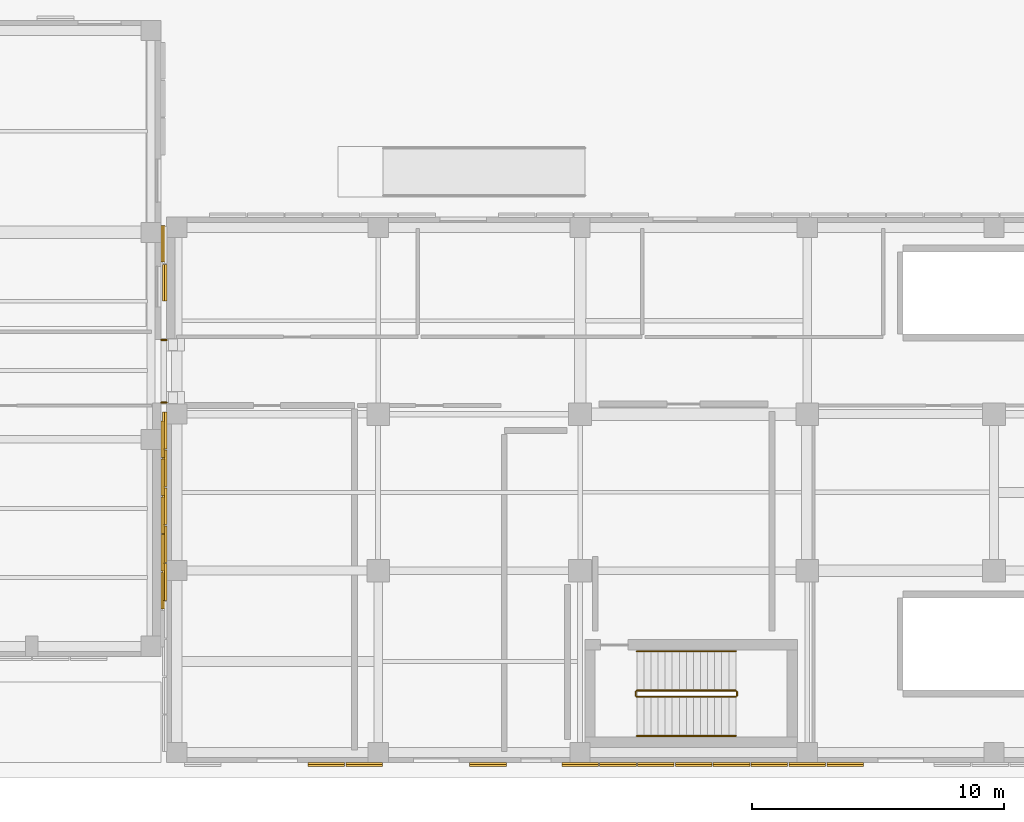
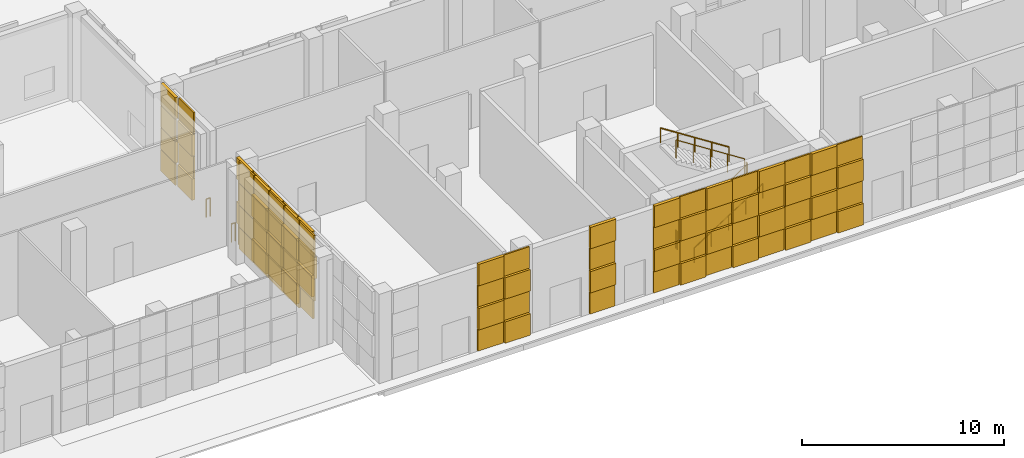
# One storey, part 27 of 40: 91 coverings, 8 railings.
"""IFC4 building model written with IfcOpenShell, lengths in metres."""

from ifc_helpers import new_model, si_unit, direction, frame, origin, origin_2d, place, context, subcontext, project, spatial, rectangle, circle, extrude, material, layer, layer_set, type_object, element, save


model = new_model("IFC4")

# Units and contexts
model_context = context("Model", 3, precision=1e-05, world=origin(), true_north=direction((0.0, 1.0)))
body_context = subcontext(model_context, "Body", "Model", "MODEL_VIEW")
ifc_project = project(units=[si_unit("LENGTHUNIT", "METRE"), si_unit("AREAUNIT", "SQUARE_METRE"), si_unit("VOLUMEUNIT", "CUBIC_METRE"), si_unit("PLANEANGLEUNIT", "RADIAN"), si_unit("MASSUNIT", "GRAM", prefix="KILO")], contexts=[model_context])

# Site, building, storey
site_placement = place(None, origin())
site = spatial("IfcSite", under=ifc_project, at=site_placement, CompositionType="ELEMENT")
building_placement = place(site_placement, origin())
building = spatial("IfcBuilding", under=site, at=building_placement, Name="Qalavern Law Courts", CompositionType="ELEMENT")
storey_placement = place(building_placement, origin())
storey = spatial("IfcBuildingStorey", under=building, at=storey_placement, Name="L00", CompositionType="ELEMENT", Elevation=0.0)

# Railings
ifc_material_1 = material(Name="Steel S355", Category="steel")
railing_type_1 = type_object("IfcRailingType", Name="ENV-BAL-1120", PredefinedType="BALUSTRADE", material=ifc_material_1)
for number, where, name in (
    (1, (101.199951171875, 15.260009765625, 0.0), "Bridge BR-V2-V6 joint guard L00-1"),
    (2, (101.199951171875, 17.739990234375, 0.0), "Bridge BR-V2-V6 joint guard L00-2"),
):
    element("IfcRailing", number, at=place(storey_placement, frame(where)), inside=storey, type_object=railing_type_1, Name=name, PredefinedType="BALUSTRADE", context=body_context, shape_type="SweptSolid", body=[
        extrude(circle(Radius=0.02392578125, at=origin_2d()), frame((0.0, 0.0, 1.09619140625), z_axis=(1.0, 0.0, 0.0), x_axis=(0.0, 1.0, 0.0)), (0.0, 0.0, 1.0), 0.219970703125),
        extrude(circle(Radius=0.02099609375, at=origin_2d()), origin(), (0.0, 0.0, 1.0), 1.072021484375),
        extrude(circle(Radius=0.02099609375, at=origin_2d()), frame((0.219970703125, 0.0, 0.0)), (0.0, 0.0, 1.0), 1.072021484375),
    ])

# Coverings
ifc_material_2 = material(Name="Precast concrete C40/50", Category="concrete")
ifc_layer_1 = layer(ifc_material_2, 0.06005859375)
ifc_layer_set_1 = layer_set([ifc_layer_1], Name="Precast concrete C40/50")
covering_type_1 = type_object("IfcCoveringType", Name="ENV-CLD-1", PredefinedType="CLADDING", material=ifc_layer_set_1)
for number, where, z_axis, x_axis, name in (
    (3, (101.238037109375, 7.800048828125, 4.054931640625), (0.0, 0.0, 1.0), (0.0, 1.0, 0.0), "Cast drop-relief street-base tile 0276"),
    (4, (101.238037109375, 9.300048828125, 2.719970703125), (0.0, 0.0, 1.0), (0.0, 1.0, 0.0), "Cast drop-relief street-base tile 0279"),
    (5, (101.238037109375, 10.800048828125, 1.385009765625), (0.0, 0.0, 1.0), (0.0, 1.0, 0.0), "Cast drop-relief street-base tile 0282"),
    (6, (101.238037109375, 12.300048828125, 0.050048828125), (0.0, 0.0, 1.0), (0.0, 1.0, 0.0), "Cast drop-relief street-base tile 0285"),
):
    element("IfcCovering", number, at=place(storey_placement, frame(where, z_axis=z_axis, x_axis=x_axis)), inside=storey, type_object=covering_type_1, Name=name, PredefinedType="CLADDING", context=body_context, shape_type="SweptSolid", body=[
        extrude(rectangle(XDim=1.449951171875, YDim=0.083984375, at=origin_2d()), origin(), (0.0, 0.0, 1.0), 1.294921875),
    ])
for number, where, z_axis, x_axis, name in (
    (7, (101.280029296875, 12.300048828125, 4.054931640625), (0.0, 0.0, 1.0), (0.0, 1.0, 0.0), "Cast drop-relief street-base tile 0288"),
    (8, (101.280029296875, 13.800048828125, 2.719970703125), (0.0, 0.0, 1.0), (0.0, 1.0, 0.0), "Cast drop-relief street-base tile 0291"),
    (9, (101.280029296875, 21.550048828125, 1.385009765625), (0.0, 0.0, 1.0), (0.0, 1.0, 0.0), "Cast drop-relief street-base tile 0294"),
    (10, (107.75, 0.919921875, 1.385009765625), (0.0, 0.0, 1.0), (1.0, 0.0, 0.0), "Cast drop-relief street-base tile 1378"),
    (11, (109.25, 0.919921875, 0.050048828125), (0.0, 0.0, 1.0), (1.0, 0.0, 0.0), "Cast drop-relief street-base tile 1381"),
):
    element("IfcCovering", number, at=place(storey_placement, frame(where, z_axis=z_axis, x_axis=x_axis)), inside=storey, type_object=covering_type_1, Name=name, PredefinedType="CLADDING", context=body_context, shape_type="SweptSolid", body=[
        extrude(rectangle(XDim=1.449951171875, YDim=0.16796875, at=origin_2d()), origin(), (0.0, 0.0, 1.0), 1.294921875),
    ])
covering_1_placement = place(storey_placement, frame((109.25, 0.9619140625, 4.054931640625), z_axis=(0.0, 0.0, 1.0), x_axis=(1.0, 0.0, 0.0)))
element("IfcCovering", 12, at=covering_1_placement, inside=storey, type_object=covering_type_1, Name="Cast drop-relief street-base tile 1384", PredefinedType="CLADDING", context=body_context, shape_type="SweptSolid", body=[
    extrude(rectangle(XDim=1.449951171875, YDim=0.083984375, at=origin_2d()), origin(), (0.0, 0.0, 1.0), 1.294921875),
])
for number, where, z_axis, x_axis, name in (
    (13, (114.14990234375, 0.919921875, 1.385009765625), (0.0, 0.0, 1.0), (1.0, 0.0, 0.0), "Cast drop-relief street-base tile 1386"),
    (14, (117.800048828125, 0.919921875, 1.385009765625), (0.0, 0.0, 1.0), (1.0, 0.0, 0.0), "Cast drop-relief street-base tile 1390"),
    (15, (119.300048828125, 0.919921875, 0.050048828125), (0.0, 0.0, 1.0), (1.0, 0.0, 0.0), "Cast drop-relief street-base tile 1393"),
):
    element("IfcCovering", number, at=place(storey_placement, frame(where, z_axis=z_axis, x_axis=x_axis)), inside=storey, type_object=covering_type_1, Name=name, PredefinedType="CLADDING", context=body_context, shape_type="SweptSolid", body=[
        extrude(rectangle(XDim=1.449951171875, YDim=0.16796875, at=origin_2d()), origin(), (0.0, 0.0, 1.0), 1.294921875),
    ])
for number, where, z_axis, x_axis, name in (
    (16, (119.300048828125, 0.9619140625, 4.054931640625), (0.0, 0.0, 1.0), (1.0, 0.0, 0.0), "Cast drop-relief street-base tile 1396"),
    (17, (120.800048828125, 0.9619140625, 2.719970703125), (0.0, 0.0, 1.0), (1.0, 0.0, 0.0), "Cast drop-relief street-base tile 1399"),
    (18, (122.300048828125, 0.9619140625, 1.385009765625), (0.0, 0.0, 1.0), (1.0, 0.0, 0.0), "Cast drop-relief street-base tile 1402"),
    (19, (123.800048828125, 0.9619140625, 0.050048828125), (0.0, 0.0, 1.0), (1.0, 0.0, 0.0), "Cast drop-relief street-base tile 1405"),
):
    element("IfcCovering", number, at=place(storey_placement, frame(where, z_axis=z_axis, x_axis=x_axis)), inside=storey, type_object=covering_type_1, Name=name, PredefinedType="CLADDING", context=body_context, shape_type="SweptSolid", body=[
        extrude(rectangle(XDim=1.449951171875, YDim=0.083984375, at=origin_2d()), origin(), (0.0, 0.0, 1.0), 1.294921875),
    ])
for number, where, z_axis, x_axis, name in (
    (20, (123.800048828125, 0.919921875, 4.054931640625), (0.0, 0.0, 1.0), (1.0, 0.0, 0.0), "Cast drop-relief street-base tile 1408"),
    (21, (125.300048828125, 0.919921875, 2.719970703125), (0.0, 0.0, 1.0), (1.0, 0.0, 0.0), "Cast drop-relief street-base tile 1411"),
    (22, (126.800048828125, 0.919921875, 1.385009765625), (0.0, 0.0, 1.0), (1.0, 0.0, 0.0), "Cast drop-relief street-base tile 1414"),
    (23, (128.300048828125, 0.919921875, 0.050048828125), (0.0, 0.0, 1.0), (1.0, 0.0, 0.0), "Cast drop-relief street-base tile 1417"),
):
    element("IfcCovering", number, at=place(storey_placement, frame(where, z_axis=z_axis, x_axis=x_axis)), inside=storey, type_object=covering_type_1, Name=name, PredefinedType="CLADDING", context=body_context, shape_type="SweptSolid", body=[
        extrude(rectangle(XDim=1.449951171875, YDim=0.16796875, at=origin_2d()), origin(), (0.0, 0.0, 1.0), 1.294921875),
    ])
covering_2_placement = place(storey_placement, frame((128.300048828125, 0.9619140625, 4.054931640625), z_axis=(0.0, 0.0, 1.0), x_axis=(1.0, 0.0, 0.0)))
element("IfcCovering", 24, at=covering_2_placement, inside=storey, type_object=covering_type_1, Name="Cast drop-relief street-base tile 1420", PredefinedType="CLADDING", context=body_context, shape_type="SweptSolid", body=[
    extrude(rectangle(XDim=1.449951171875, YDim=0.083984375, at=origin_2d()), origin(), (0.0, 0.0, 1.0), 1.294921875),
])
covering_3_placement = place(storey_placement, frame((101.340087890625, 20.0, 0.050048828125), z_axis=(0.0, 0.0, 1.0), x_axis=(0.0, -1.0, 0.0)))
element("IfcCovering", 25, at=covering_3_placement, inside=storey, type_object=covering_type_1, Name="Cast drop-relief street-base tile 1673", PredefinedType="CLADDING", context=body_context, shape_type="SweptSolid", body=[
    extrude(rectangle(XDim=1.449951171875, YDim=0.16796875, at=origin_2d()), origin(), (0.0, 0.0, 1.0), 1.294921875),
])
covering_4_placement = place(storey_placement, frame((101.382080078125, 20.0, 4.054931640625), z_axis=(0.0, 0.0, 1.0), x_axis=(0.0, -1.0, 0.0)))
element("IfcCovering", 26, at=covering_4_placement, inside=storey, type_object=covering_type_1, Name="Cast drop-relief street-base tile 1676", PredefinedType="CLADDING", context=body_context, shape_type="SweptSolid", body=[
    extrude(rectangle(XDim=1.449951171875, YDim=0.083984375, at=origin_2d()), origin(), (0.0, 0.0, 1.0), 1.294921875),
])
for number, where, z_axis, x_axis, name in (
    (27, (101.340087890625, 14.14990234375, 1.385009765625), (0.0, 0.0, 1.0), (0.0, -1.0, 0.0), "Cast drop-relief street-base tile 1678"),
    (28, (101.340087890625, 12.64990234375, 0.050048828125), (0.0, 0.0, 1.0), (0.0, -1.0, 0.0), "Cast drop-relief street-base tile 1681"),
):
    element("IfcCovering", number, at=place(storey_placement, frame(where, z_axis=z_axis, x_axis=x_axis)), inside=storey, type_object=covering_type_1, Name=name, PredefinedType="CLADDING", context=body_context, shape_type="SweptSolid", body=[
        extrude(rectangle(XDim=1.449951171875, YDim=0.16796875, at=origin_2d()), origin(), (0.0, 0.0, 1.0), 1.294921875),
    ])
for number, where, z_axis, x_axis, name in (
    (29, (101.382080078125, 12.64990234375, 4.054931640625), (0.0, 0.0, 1.0), (0.0, -1.0, 0.0), "Cast drop-relief street-base tile 1684"),
    (30, (101.382080078125, 11.14990234375, 2.719970703125), (0.0, 0.0, 1.0), (0.0, -1.0, 0.0), "Cast drop-relief street-base tile 1687"),
    (31, (101.382080078125, 9.64990234375, 1.385009765625), (0.0, 0.0, 1.0), (0.0, -1.0, 0.0), "Cast drop-relief street-base tile 1690"),
    (32, (101.382080078125, 8.14990234375, 0.050048828125), (0.0, 0.0, 1.0), (0.0, -1.0, 0.0), "Cast drop-relief street-base tile 1693"),
):
    element("IfcCovering", number, at=place(storey_placement, frame(where, z_axis=z_axis, x_axis=x_axis)), inside=storey, type_object=covering_type_1, Name=name, PredefinedType="CLADDING", context=body_context, shape_type="SweptSolid", body=[
        extrude(rectangle(XDim=1.449951171875, YDim=0.083984375, at=origin_2d()), origin(), (0.0, 0.0, 1.0), 1.294921875),
    ])
covering_5_placement = place(storey_placement, frame((101.340087890625, 8.14990234375, 4.054931640625), z_axis=(0.0, 0.0, 1.0), x_axis=(0.0, -1.0, 0.0)))
element("IfcCovering", 33, at=covering_5_placement, inside=storey, type_object=covering_type_1, Name="Cast drop-relief street-base tile 1696", PredefinedType="CLADDING", context=body_context, shape_type="SweptSolid", body=[
    extrude(rectangle(XDim=1.449951171875, YDim=0.16796875, at=origin_2d()), origin(), (0.0, 0.0, 1.0), 1.294921875),
])
ifc_layer_2 = layer(ifc_material_2, 0.072021484375)
ifc_layer_set_2 = layer_set([ifc_layer_2], Name="Precast concrete C40/50")
covering_type_2 = type_object("IfcCoveringType", Name="ENV-CLD-2", PredefinedType="CLADDING", material=ifc_layer_set_2)
for number, where, z_axis, x_axis, name in (
    (34, (101.238037109375, 7.800048828125, 1.385009765625), (0.0, 0.0, 1.0), (0.0, 1.0, 0.0), "Cast drop-relief street-base tile 0274"),
    (35, (101.238037109375, 9.300048828125, 0.050048828125), (0.0, 0.0, 1.0), (0.0, 1.0, 0.0), "Cast drop-relief street-base tile 0277"),
):
    element("IfcCovering", number, at=place(storey_placement, frame(where, z_axis=z_axis, x_axis=x_axis)), inside=storey, type_object=covering_type_2, Name=name, PredefinedType="CLADDING", context=body_context, shape_type="SweptSolid", body=[
        extrude(rectangle(XDim=1.449951171875, YDim=0.083984375, at=origin_2d()), origin(), (0.0, 0.0, 1.0), 1.294921875),
    ])
for number, where, z_axis, x_axis, name in (
    (36, (101.280029296875, 9.300048828125, 4.054931640625), (0.0, 0.0, 1.0), (0.0, 1.0, 0.0), "Cast drop-relief street-base tile 0280"),
    (37, (101.280029296875, 10.800048828125, 2.719970703125), (0.0, 0.0, 1.0), (0.0, 1.0, 0.0), "Cast drop-relief street-base tile 0283"),
    (38, (101.280029296875, 12.300048828125, 1.385009765625), (0.0, 0.0, 1.0), (0.0, 1.0, 0.0), "Cast drop-relief street-base tile 0286"),
    (39, (101.280029296875, 13.800048828125, 0.050048828125), (0.0, 0.0, 1.0), (0.0, 1.0, 0.0), "Cast drop-relief street-base tile 0289"),
):
    element("IfcCovering", number, at=place(storey_placement, frame(where, z_axis=z_axis, x_axis=x_axis)), inside=storey, type_object=covering_type_2, Name=name, PredefinedType="CLADDING", context=body_context, shape_type="SweptSolid", body=[
        extrude(rectangle(XDim=1.449951171875, YDim=0.16796875, at=origin_2d()), origin(), (0.0, 0.0, 1.0), 1.294921875),
    ])
for number, where, z_axis, x_axis, name in (
    (40, (101.238037109375, 13.800048828125, 4.054931640625), (0.0, 0.0, 1.0), (0.0, 1.0, 0.0), "Cast drop-relief street-base tile 0292"),
    (41, (101.238037109375, 21.550048828125, 2.719970703125), (0.0, 0.0, 1.0), (0.0, 1.0, 0.0), "Cast drop-relief street-base tile 0295"),
    (42, (107.75, 0.9619140625, 2.719970703125), (0.0, 0.0, 1.0), (1.0, 0.0, 0.0), "Cast drop-relief street-base tile 1379"),
    (43, (109.25, 0.9619140625, 1.385009765625), (0.0, 0.0, 1.0), (1.0, 0.0, 0.0), "Cast drop-relief street-base tile 1382"),
    (44, (114.14990234375, 0.9619140625, 2.719970703125), (0.0, 0.0, 1.0), (1.0, 0.0, 0.0), "Cast drop-relief street-base tile 1387"),
    (45, (117.800048828125, 0.9619140625, 2.719970703125), (0.0, 0.0, 1.0), (1.0, 0.0, 0.0), "Cast drop-relief street-base tile 1391"),
    (46, (119.300048828125, 0.9619140625, 1.385009765625), (0.0, 0.0, 1.0), (1.0, 0.0, 0.0), "Cast drop-relief street-base tile 1394"),
    (47, (120.800048828125, 0.9619140625, 0.050048828125), (0.0, 0.0, 1.0), (1.0, 0.0, 0.0), "Cast drop-relief street-base tile 1397"),
):
    element("IfcCovering", number, at=place(storey_placement, frame(where, z_axis=z_axis, x_axis=x_axis)), inside=storey, type_object=covering_type_2, Name=name, PredefinedType="CLADDING", context=body_context, shape_type="SweptSolid", body=[
        extrude(rectangle(XDim=1.449951171875, YDim=0.083984375, at=origin_2d()), origin(), (0.0, 0.0, 1.0), 1.294921875),
    ])
for number, where, z_axis, x_axis, name in (
    (48, (120.800048828125, 0.919921875, 4.054931640625), (0.0, 0.0, 1.0), (1.0, 0.0, 0.0), "Cast drop-relief street-base tile 1400"),
    (49, (122.300048828125, 0.919921875, 2.719970703125), (0.0, 0.0, 1.0), (1.0, 0.0, 0.0), "Cast drop-relief street-base tile 1403"),
    (50, (123.800048828125, 0.919921875, 1.385009765625), (0.0, 0.0, 1.0), (1.0, 0.0, 0.0), "Cast drop-relief street-base tile 1406"),
    (51, (125.300048828125, 0.919921875, 0.050048828125), (0.0, 0.0, 1.0), (1.0, 0.0, 0.0), "Cast drop-relief street-base tile 1409"),
):
    element("IfcCovering", number, at=place(storey_placement, frame(where, z_axis=z_axis, x_axis=x_axis)), inside=storey, type_object=covering_type_2, Name=name, PredefinedType="CLADDING", context=body_context, shape_type="SweptSolid", body=[
        extrude(rectangle(XDim=1.449951171875, YDim=0.16796875, at=origin_2d()), origin(), (0.0, 0.0, 1.0), 1.294921875),
    ])
for number, where, z_axis, x_axis, name in (
    (52, (125.300048828125, 0.9619140625, 4.054931640625), (0.0, 0.0, 1.0), (1.0, 0.0, 0.0), "Cast drop-relief street-base tile 1412"),
    (53, (126.800048828125, 0.9619140625, 2.719970703125), (0.0, 0.0, 1.0), (1.0, 0.0, 0.0), "Cast drop-relief street-base tile 1415"),
    (54, (128.300048828125, 0.9619140625, 1.385009765625), (0.0, 0.0, 1.0), (1.0, 0.0, 0.0), "Cast drop-relief street-base tile 1418"),
    (55, (101.382080078125, 20.0, 1.385009765625), (0.0, 0.0, 1.0), (0.0, -1.0, 0.0), "Cast drop-relief street-base tile 1674"),
    (56, (101.382080078125, 14.14990234375, 2.719970703125), (0.0, 0.0, 1.0), (0.0, -1.0, 0.0), "Cast drop-relief street-base tile 1679"),
    (57, (101.382080078125, 12.64990234375, 1.385009765625), (0.0, 0.0, 1.0), (0.0, -1.0, 0.0), "Cast drop-relief street-base tile 1682"),
    (58, (101.382080078125, 11.14990234375, 0.050048828125), (0.0, 0.0, 1.0), (0.0, -1.0, 0.0), "Cast drop-relief street-base tile 1685"),
):
    element("IfcCovering", number, at=place(storey_placement, frame(where, z_axis=z_axis, x_axis=x_axis)), inside=storey, type_object=covering_type_2, Name=name, PredefinedType="CLADDING", context=body_context, shape_type="SweptSolid", body=[
        extrude(rectangle(XDim=1.449951171875, YDim=0.083984375, at=origin_2d()), origin(), (0.0, 0.0, 1.0), 1.294921875),
    ])
for number, where, z_axis, x_axis, name in (
    (59, (101.340087890625, 11.14990234375, 4.054931640625), (0.0, 0.0, 1.0), (0.0, -1.0, 0.0), "Cast drop-relief street-base tile 1688"),
    (60, (101.340087890625, 9.64990234375, 2.719970703125), (0.0, 0.0, 1.0), (0.0, -1.0, 0.0), "Cast drop-relief street-base tile 1691"),
    (61, (101.340087890625, 8.14990234375, 1.385009765625), (0.0, 0.0, 1.0), (0.0, -1.0, 0.0), "Cast drop-relief street-base tile 1694"),
):
    element("IfcCovering", number, at=place(storey_placement, frame(where, z_axis=z_axis, x_axis=x_axis)), inside=storey, type_object=covering_type_2, Name=name, PredefinedType="CLADDING", context=body_context, shape_type="SweptSolid", body=[
        extrude(rectangle(XDim=1.449951171875, YDim=0.16796875, at=origin_2d()), origin(), (0.0, 0.0, 1.0), 1.294921875),
    ])
ifc_layer_3 = layer(ifc_material_2, 0.083984375)
ifc_layer_set_3 = layer_set([ifc_layer_3], Name="Precast concrete C40/50")
covering_type_3 = type_object("IfcCoveringType", Name="ENV-CLD-3", PredefinedType="CLADDING", material=ifc_layer_set_3)
for number, where, z_axis, x_axis, name in (
    (62, (101.280029296875, 7.800048828125, 2.719970703125), (0.0, 0.0, 1.0), (0.0, 1.0, 0.0), "Cast drop-relief street-base tile 0275"),
    (63, (101.280029296875, 9.300048828125, 1.385009765625), (0.0, 0.0, 1.0), (0.0, 1.0, 0.0), "Cast drop-relief street-base tile 0278"),
    (64, (101.280029296875, 10.800048828125, 0.050048828125), (0.0, 0.0, 1.0), (0.0, 1.0, 0.0), "Cast drop-relief street-base tile 0281"),
):
    element("IfcCovering", number, at=place(storey_placement, frame(where, z_axis=z_axis, x_axis=x_axis)), inside=storey, type_object=covering_type_3, Name=name, PredefinedType="CLADDING", context=body_context, shape_type="SweptSolid", body=[
        extrude(rectangle(XDim=1.449951171875, YDim=0.16796875, at=origin_2d()), origin(), (0.0, 0.0, 1.0), 1.294921875),
    ])
for number, where, z_axis, x_axis, name in (
    (65, (101.238037109375, 10.800048828125, 4.054931640625), (0.0, 0.0, 1.0), (0.0, 1.0, 0.0), "Cast drop-relief street-base tile 0284"),
    (66, (101.238037109375, 12.300048828125, 2.719970703125), (0.0, 0.0, 1.0), (0.0, 1.0, 0.0), "Cast drop-relief street-base tile 0287"),
    (67, (101.238037109375, 13.800048828125, 1.385009765625), (0.0, 0.0, 1.0), (0.0, 1.0, 0.0), "Cast drop-relief street-base tile 0290"),
    (68, (101.238037109375, 21.550048828125, 0.050048828125), (0.0, 0.0, 1.0), (0.0, 1.0, 0.0), "Cast drop-relief street-base tile 0293"),
):
    element("IfcCovering", number, at=place(storey_placement, frame(where, z_axis=z_axis, x_axis=x_axis)), inside=storey, type_object=covering_type_3, Name=name, PredefinedType="CLADDING", context=body_context, shape_type="SweptSolid", body=[
        extrude(rectangle(XDim=1.449951171875, YDim=0.083984375, at=origin_2d()), origin(), (0.0, 0.0, 1.0), 1.294921875),
    ])
covering_6_placement = place(storey_placement, frame((101.280029296875, 21.550048828125, 4.054931640625), z_axis=(0.0, 0.0, 1.0), x_axis=(0.0, 1.0, 0.0)))
element("IfcCovering", 69, at=covering_6_placement, inside=storey, type_object=covering_type_3, Name="Cast drop-relief street-base tile 0296", PredefinedType="CLADDING", context=body_context, shape_type="SweptSolid", body=[
    extrude(rectangle(XDim=1.449951171875, YDim=0.16796875, at=origin_2d()), origin(), (0.0, 0.0, 1.0), 1.294921875),
])
covering_7_placement = place(storey_placement, frame((107.75, 0.9619140625, 0.050048828125), z_axis=(0.0, 0.0, 1.0), x_axis=(1.0, 0.0, 0.0)))
element("IfcCovering", 70, at=covering_7_placement, inside=storey, type_object=covering_type_3, Name="Cast drop-relief street-base tile 1377", PredefinedType="CLADDING", context=body_context, shape_type="SweptSolid", body=[
    extrude(rectangle(XDim=1.449951171875, YDim=0.083984375, at=origin_2d()), origin(), (0.0, 0.0, 1.0), 1.294921875),
])
for number, where, z_axis, x_axis, name in (
    (71, (107.75, 0.919921875, 4.054931640625), (0.0, 0.0, 1.0), (1.0, 0.0, 0.0), "Cast drop-relief street-base tile 1380"),
    (72, (109.25, 0.919921875, 2.719970703125), (0.0, 0.0, 1.0), (1.0, 0.0, 0.0), "Cast drop-relief street-base tile 1383"),
):
    element("IfcCovering", number, at=place(storey_placement, frame(where, z_axis=z_axis, x_axis=x_axis)), inside=storey, type_object=covering_type_3, Name=name, PredefinedType="CLADDING", context=body_context, shape_type="SweptSolid", body=[
        extrude(rectangle(XDim=1.449951171875, YDim=0.16796875, at=origin_2d()), origin(), (0.0, 0.0, 1.0), 1.294921875),
    ])
covering_8_placement = place(storey_placement, frame((114.14990234375, 0.9619140625, 0.050048828125), z_axis=(0.0, 0.0, 1.0), x_axis=(1.0, 0.0, 0.0)))
element("IfcCovering", 73, at=covering_8_placement, inside=storey, type_object=covering_type_3, Name="Cast drop-relief street-base tile 1385", PredefinedType="CLADDING", context=body_context, shape_type="SweptSolid", body=[
    extrude(rectangle(XDim=1.449951171875, YDim=0.083984375, at=origin_2d()), origin(), (0.0, 0.0, 1.0), 1.294921875),
])
covering_9_placement = place(storey_placement, frame((114.14990234375, 0.919921875, 4.054931640625), z_axis=(0.0, 0.0, 1.0), x_axis=(1.0, 0.0, 0.0)))
element("IfcCovering", 74, at=covering_9_placement, inside=storey, type_object=covering_type_3, Name="Cast drop-relief street-base tile 1388", PredefinedType="CLADDING", context=body_context, shape_type="SweptSolid", body=[
    extrude(rectangle(XDim=1.449951171875, YDim=0.16796875, at=origin_2d()), origin(), (0.0, 0.0, 1.0), 1.294921875),
])
covering_10_placement = place(storey_placement, frame((117.800048828125, 0.9619140625, 0.050048828125), z_axis=(0.0, 0.0, 1.0), x_axis=(1.0, 0.0, 0.0)))
element("IfcCovering", 75, at=covering_10_placement, inside=storey, type_object=covering_type_3, Name="Cast drop-relief street-base tile 1389", PredefinedType="CLADDING", context=body_context, shape_type="SweptSolid", body=[
    extrude(rectangle(XDim=1.449951171875, YDim=0.083984375, at=origin_2d()), origin(), (0.0, 0.0, 1.0), 1.294921875),
])
for number, where, z_axis, x_axis, name in (
    (76, (117.800048828125, 0.919921875, 4.054931640625), (0.0, 0.0, 1.0), (1.0, 0.0, 0.0), "Cast drop-relief street-base tile 1392"),
    (77, (119.300048828125, 0.919921875, 2.719970703125), (0.0, 0.0, 1.0), (1.0, 0.0, 0.0), "Cast drop-relief street-base tile 1395"),
    (78, (120.800048828125, 0.919921875, 1.385009765625), (0.0, 0.0, 1.0), (1.0, 0.0, 0.0), "Cast drop-relief street-base tile 1398"),
    (79, (122.300048828125, 0.919921875, 0.050048828125), (0.0, 0.0, 1.0), (1.0, 0.0, 0.0), "Cast drop-relief street-base tile 1401"),
):
    element("IfcCovering", number, at=place(storey_placement, frame(where, z_axis=z_axis, x_axis=x_axis)), inside=storey, type_object=covering_type_3, Name=name, PredefinedType="CLADDING", context=body_context, shape_type="SweptSolid", body=[
        extrude(rectangle(XDim=1.449951171875, YDim=0.16796875, at=origin_2d()), origin(), (0.0, 0.0, 1.0), 1.294921875),
    ])
for number, where, z_axis, x_axis, name in (
    (80, (122.300048828125, 0.9619140625, 4.054931640625), (0.0, 0.0, 1.0), (1.0, 0.0, 0.0), "Cast drop-relief street-base tile 1404"),
    (81, (123.800048828125, 0.9619140625, 2.719970703125), (0.0, 0.0, 1.0), (1.0, 0.0, 0.0), "Cast drop-relief street-base tile 1407"),
    (82, (125.300048828125, 0.9619140625, 1.385009765625), (0.0, 0.0, 1.0), (1.0, 0.0, 0.0), "Cast drop-relief street-base tile 1410"),
    (83, (126.800048828125, 0.9619140625, 0.050048828125), (0.0, 0.0, 1.0), (1.0, 0.0, 0.0), "Cast drop-relief street-base tile 1413"),
):
    element("IfcCovering", number, at=place(storey_placement, frame(where, z_axis=z_axis, x_axis=x_axis)), inside=storey, type_object=covering_type_3, Name=name, PredefinedType="CLADDING", context=body_context, shape_type="SweptSolid", body=[
        extrude(rectangle(XDim=1.449951171875, YDim=0.083984375, at=origin_2d()), origin(), (0.0, 0.0, 1.0), 1.294921875),
    ])
for number, where, z_axis, x_axis, name in (
    (84, (126.800048828125, 0.919921875, 4.054931640625), (0.0, 0.0, 1.0), (1.0, 0.0, 0.0), "Cast drop-relief street-base tile 1416"),
    (85, (128.300048828125, 0.919921875, 2.719970703125), (0.0, 0.0, 1.0), (1.0, 0.0, 0.0), "Cast drop-relief street-base tile 1419"),
    (86, (101.340087890625, 20.0, 2.719970703125), (0.0, 0.0, 1.0), (0.0, -1.0, 0.0), "Cast drop-relief street-base tile 1675"),
):
    element("IfcCovering", number, at=place(storey_placement, frame(where, z_axis=z_axis, x_axis=x_axis)), inside=storey, type_object=covering_type_3, Name=name, PredefinedType="CLADDING", context=body_context, shape_type="SweptSolid", body=[
        extrude(rectangle(XDim=1.449951171875, YDim=0.16796875, at=origin_2d()), origin(), (0.0, 0.0, 1.0), 1.294921875),
    ])
covering_11_placement = place(storey_placement, frame((101.382080078125, 14.14990234375, 0.050048828125), z_axis=(0.0, 0.0, 1.0), x_axis=(0.0, -1.0, 0.0)))
element("IfcCovering", 87, at=covering_11_placement, inside=storey, type_object=covering_type_3, Name="Cast drop-relief street-base tile 1677", PredefinedType="CLADDING", context=body_context, shape_type="SweptSolid", body=[
    extrude(rectangle(XDim=1.449951171875, YDim=0.083984375, at=origin_2d()), origin(), (0.0, 0.0, 1.0), 1.294921875),
])
for number, where, z_axis, x_axis, name in (
    (88, (101.340087890625, 14.14990234375, 4.054931640625), (0.0, 0.0, 1.0), (0.0, -1.0, 0.0), "Cast drop-relief street-base tile 1680"),
    (89, (101.340087890625, 12.64990234375, 2.719970703125), (0.0, 0.0, 1.0), (0.0, -1.0, 0.0), "Cast drop-relief street-base tile 1683"),
    (90, (101.340087890625, 11.14990234375, 1.385009765625), (0.0, 0.0, 1.0), (0.0, -1.0, 0.0), "Cast drop-relief street-base tile 1686"),
    (91, (101.340087890625, 9.64990234375, 0.050048828125), (0.0, 0.0, 1.0), (0.0, -1.0, 0.0), "Cast drop-relief street-base tile 1689"),
):
    element("IfcCovering", number, at=place(storey_placement, frame(where, z_axis=z_axis, x_axis=x_axis)), inside=storey, type_object=covering_type_3, Name=name, PredefinedType="CLADDING", context=body_context, shape_type="SweptSolid", body=[
        extrude(rectangle(XDim=1.449951171875, YDim=0.16796875, at=origin_2d()), origin(), (0.0, 0.0, 1.0), 1.294921875),
    ])
for number, where, z_axis, x_axis, name in (
    (92, (101.382080078125, 9.64990234375, 4.054931640625), (0.0, 0.0, 1.0), (0.0, -1.0, 0.0), "Cast drop-relief street-base tile 1692"),
    (93, (101.382080078125, 8.14990234375, 2.719970703125), (0.0, 0.0, 1.0), (0.0, -1.0, 0.0), "Cast drop-relief street-base tile 1695"),
):
    element("IfcCovering", number, at=place(storey_placement, frame(where, z_axis=z_axis, x_axis=x_axis)), inside=storey, type_object=covering_type_3, Name=name, PredefinedType="CLADDING", context=body_context, shape_type="SweptSolid", body=[
        extrude(rectangle(XDim=1.449951171875, YDim=0.083984375, at=origin_2d()), origin(), (0.0, 0.0, 1.0), 1.294921875),
    ])

# Railings
railing_type_2 = type_object("IfcRailingType", Name="INT-GUARD-1120", PredefinedType="BALUSTRADE", material=ifc_material_1)
railing_1_placement = place(storey_placement, frame((120.050048828125, 3.60009765625, 0.179931640625)))
element("IfcRailing", 94, at=railing_1_placement, inside=storey, type_object=railing_type_2, Name="L00 ST-K5 stair guard 1", PredefinedType="BALUSTRADE", context=body_context, shape_type="SweptSolid", body=[
    extrude(circle(Radius=0.02392578125, at=origin_2d()), frame((0.0, 0.0, 1.09619140625), z_axis=(0.841171666519, 0.0, 0.540768182723), x_axis=(0.0, 1.0, 0.0)), (0.0, 0.0, 1.0), 4.66015625),
    extrude(circle(Radius=0.02099609375, at=origin_2d()), origin(), (0.0, 0.0, 1.0), 1.072021484375),
    extrude(circle(Radius=0.02099609375, at=origin_2d()), frame((0.97998046875, 0.0, 0.6298828125)), (0.0, 0.0, 1.0), 1.072021484375),
    extrude(circle(Radius=0.02099609375, at=origin_2d()), frame((1.9599609375, 0.0, 1.260009765625)), (0.0, 0.0, 1.0), 1.072021484375),
    extrude(circle(Radius=0.02099609375, at=origin_2d()), frame((2.93994140625, 0.0, 1.89013671875)), (0.0, 0.0, 1.0), 1.072021484375),
    extrude(circle(Radius=0.02099609375, at=origin_2d()), frame((3.919921875, 0.0, 2.52001953125)), (0.0, 0.0, 1.0), 1.072021484375),
])
railing_2_placement = place(storey_placement, frame((124.02001953125, 3.64990234375, 2.699951171875)))
element("IfcRailing", 95, at=railing_2_placement, inside=storey, type_object=railing_type_2, Name="L00 ST-K5 stair guard 2", PredefinedType="BALUSTRADE", context=body_context, shape_type="SweptSolid", body=[
    extrude(circle(Radius=0.02392578125, at=origin_2d()), frame((0.0, 0.0, 1.09619140625), z_axis=(0.0, 1.0, 0.0), x_axis=(-1.0, 0.0, 0.0)), (0.0, 0.0, 1.0), 0.150146484375),
    extrude(circle(Radius=0.02099609375, at=origin_2d()), origin(), (0.0, 0.0, 1.0), 1.072021484375),
    extrude(circle(Radius=0.02099609375, at=origin_2d()), frame((0.0, 0.150146484375, 0.0)), (0.0, 0.0, 1.0), 1.072021484375),
])
railing_3_placement = place(storey_placement, frame((123.969970703125, 3.85009765625, 2.8798828125)))
element("IfcRailing", 96, at=railing_3_placement, inside=storey, type_object=railing_type_2, Name="L00 ST-K5 stair guard 3", PredefinedType="BALUSTRADE", context=body_context, shape_type="SweptSolid", body=[
    extrude(circle(Radius=0.02392578125, at=origin_2d()), frame((0.0, 0.0, 1.09619140625), z_axis=(-0.841171666519, 0.0, 0.540768182723), x_axis=(0.0, -1.0, 0.0)), (0.0, 0.0, 1.0), 4.66015625),
    extrude(circle(Radius=0.02099609375, at=origin_2d()), origin(), (0.0, 0.0, 1.0), 1.072021484375),
    extrude(circle(Radius=0.02099609375, at=origin_2d()), frame((-0.97998046875, 0.0, 0.6298828125)), (0.0, 0.0, 1.0), 1.072021484375),
    extrude(circle(Radius=0.02099609375, at=origin_2d()), frame((-1.9599609375, 0.0, 1.260009765625)), (0.0, 0.0, 1.0), 1.072021484375),
    extrude(circle(Radius=0.02099609375, at=origin_2d()), frame((-2.93994140625, 0.0, 1.89013671875)), (0.0, 0.0, 1.0), 1.072021484375),
    extrude(circle(Radius=0.02099609375, at=origin_2d()), frame((-3.919921875, 0.0, 2.52001953125)), (0.0, 0.0, 1.0), 1.072021484375),
])
railing_4_placement = place(storey_placement, frame((120.0, 3.64990234375, 0.0)))
element("IfcRailing", 97, at=railing_4_placement, inside=storey, type_object=railing_type_2, Name="L00 ST-K5 stair guard 4", PredefinedType="BALUSTRADE", context=body_context, shape_type="SweptSolid", body=[
    extrude(circle(Radius=0.02392578125, at=origin_2d()), frame((0.0, 0.0, 1.09619140625), z_axis=(0.0, 1.0, 0.0), x_axis=(-1.0, 0.0, 0.0)), (0.0, 0.0, 1.0), 0.150146484375),
    extrude(circle(Radius=0.02099609375, at=origin_2d()), origin(), (0.0, 0.0, 1.0), 1.072021484375),
    extrude(circle(Radius=0.02099609375, at=origin_2d()), frame((0.0, 0.150146484375, 0.0)), (0.0, 0.0, 1.0), 1.072021484375),
])
railing_type_3 = type_object("IfcRailingType", Name="INT-HRAIL-920", PredefinedType="HANDRAIL", material=ifc_material_1)
railing_5_placement = place(storey_placement, frame((120.050048828125, 2.050048828125, 0.179931640625)))
element("IfcRailing", 98, at=railing_5_placement, inside=storey, type_object=railing_type_3, Name="L00 ST-K5 stair handrail 1", PredefinedType="HANDRAIL", context=body_context, shape_type="SweptSolid", body=[
    extrude(circle(Radius=0.02392578125, at=origin_2d()), frame((0.0, 0.0, 0.8759765625), z_axis=(0.841171666519, 0.0, 0.540768182723), x_axis=(0.0, 1.0, 0.0)), (0.0, 0.0, 1.0), 4.66015625),
    extrude(circle(Radius=0.02099609375, at=origin_2d()), origin(), (0.0, 0.0, 1.0), 0.851806640625),
    extrude(circle(Radius=0.02099609375, at=origin_2d()), frame((0.97998046875, 0.0, 0.6298828125)), (0.0, 0.0, 1.0), 0.851806640625),
    extrude(circle(Radius=0.02099609375, at=origin_2d()), frame((1.9599609375, 0.0, 1.260009765625)), (0.0, 0.0, 1.0), 0.851806640625),
    extrude(circle(Radius=0.02099609375, at=origin_2d()), frame((2.93994140625, 0.0, 1.89013671875)), (0.0, 0.0, 1.0), 0.851806640625),
    extrude(circle(Radius=0.02099609375, at=origin_2d()), frame((3.919921875, 0.0, 2.52001953125)), (0.0, 0.0, 1.0), 0.851806640625),
])
railing_6_placement = place(storey_placement, frame((123.969970703125, 5.39990234375, 2.8798828125)))
element("IfcRailing", 99, at=railing_6_placement, inside=storey, type_object=railing_type_3, Name="L00 ST-K5 stair handrail 2", PredefinedType="HANDRAIL", context=body_context, shape_type="SweptSolid", body=[
    extrude(circle(Radius=0.02392578125, at=origin_2d()), frame((0.0, 0.0, 0.8759765625), z_axis=(-0.841171666519, 0.0, 0.540768182723), x_axis=(0.0, -1.0, 0.0)), (0.0, 0.0, 1.0), 4.66015625),
    extrude(circle(Radius=0.02099609375, at=origin_2d()), origin(), (0.0, 0.0, 1.0), 0.851806640625),
    extrude(circle(Radius=0.02099609375, at=origin_2d()), frame((-0.97998046875, 0.0, 0.6298828125)), (0.0, 0.0, 1.0), 0.851806640625),
    extrude(circle(Radius=0.02099609375, at=origin_2d()), frame((-1.9599609375, 0.0, 1.260009765625)), (0.0, 0.0, 1.0), 0.851806640625),
    extrude(circle(Radius=0.02099609375, at=origin_2d()), frame((-2.93994140625, 0.0, 1.89013671875)), (0.0, 0.0, 1.0), 0.851806640625),
    extrude(circle(Radius=0.02099609375, at=origin_2d()), frame((-3.919921875, 0.0, 2.52001953125)), (0.0, 0.0, 1.0), 0.851806640625),
])

save(model, "model.ifc")
